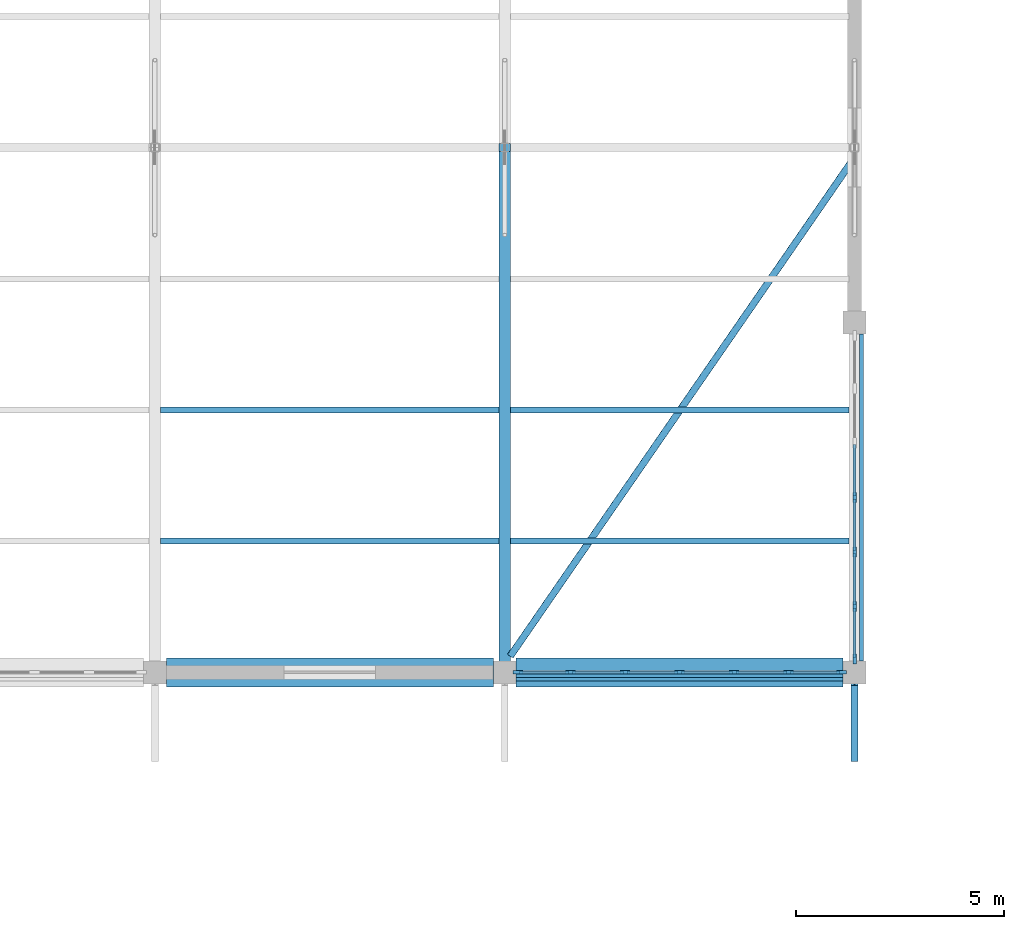
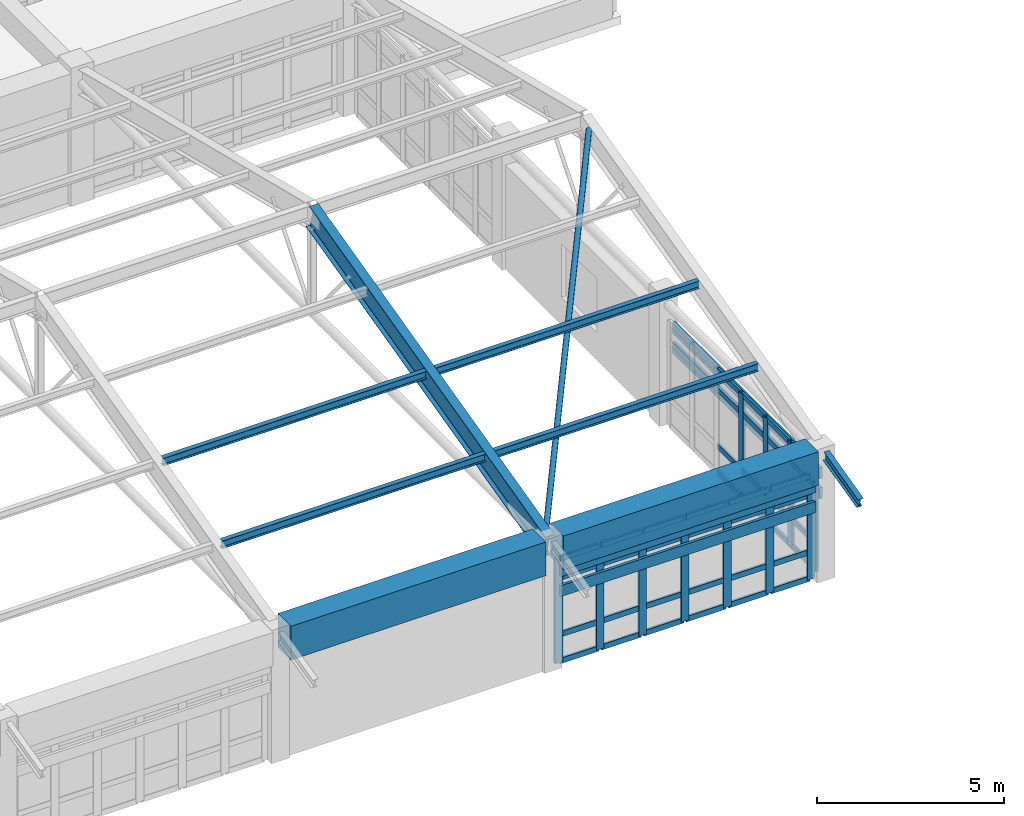
# One storey, part 13 of 99: 60 members, 4 beams, 2 elements without a shape of their own.
"""IFC4 building model written with IfcOpenShell, lengths in metres."""

import ifcopenshell
import ifcopenshell.guid

model = None  # the IFC model being written
_history = None  # IfcOwnerHistory: only IFC2X3 demands one
_inside = {}  # id of a spatial element -> (the spatial element, [elements in it])
_under = {}  # id of a project, library or spatial element -> (it, [spatial elements below it])
_declared = {}  # id of a project -> (the project, [libraries it declares])
_typed = {}  # id of a type object -> (the type object, [elements of that type])
_made_of = {}  # id of a material, layer set ... -> (it, [elements and type objects made of it])


def new_model(schema):
    """Start an empty IFC model of exactly this schema.

    Asked for "IFC4X3", IfcOpenShell would pick the latest addendum, in which some entities
    have other attributes; the version numbers below select the first issue.
    IFC2X3 requires an IfcOwnerHistory on every rooted entity: one is made here for all.
    """
    global model, _history
    if schema == "IFC4X3":
        model = ifcopenshell.file(schema_version=(4, 3, 0, 0))
    else:
        model = ifcopenshell.file(schema=schema)
    _inside.clear()
    _under.clear()
    _declared.clear()
    _typed.clear()
    _made_of.clear()
    _history = None
    if model.schema == "IFC2X3":
        org = make("IfcOrganization", Name="unknown")
        user = make(
            "IfcPersonAndOrganization",
            ThePerson=make("IfcPerson", FamilyName="unknown"),
            TheOrganization=org,
        )
        app = make(
            "IfcApplication",
            ApplicationDeveloper=org,
            Version="unknown",
            ApplicationFullName="unknown",
            ApplicationIdentifier="unknown",
        )
        _history = make(
            "IfcOwnerHistory",
            OwningUser=user,
            OwningApplication=app,
            ChangeAction="ADDED",
            CreationDate=0,
        )
    return model


def make(cls, **values):
    """One entity of the class cls with the attributes given. An attribute that is None is left unset."""
    return model.create_entity(
        cls, **{name: value for name, value in values.items() if value is not None}
    )


def rooted(cls, **values):
    """An entity with a GlobalId (a new one), such as an element, a storey or a relation."""
    return make(cls, GlobalId=ifcopenshell.guid.new(), OwnerHistory=_history, **values)


def si_unit(unit_type, name, prefix=None):
    """IfcSIUnit, for example si_unit("LENGTHUNIT", "METRE", prefix="MILLI")."""
    return make("IfcSIUnit", UnitType=unit_type, Prefix=prefix, Name=name)


def assignment(units):
    """IfcUnitAssignment: the units of a project."""
    return None if units is None else make("IfcUnitAssignment", Units=units)


def point(xyz):
    """IfcCartesianPoint."""
    return None if xyz is None else make("IfcCartesianPoint", Coordinates=xyz)


def direction(xyz):
    """IfcDirection."""
    return None if xyz is None else make("IfcDirection", DirectionRatios=xyz)


def frame(location, z_axis=None, x_axis=None):
    """IfcAxis2Placement3D, a coordinate frame: its origin and axes. An axis left out is left unset."""
    return make(
        "IfcAxis2Placement3D",
        Location=point(location),
        Axis=direction(z_axis),
        RefDirection=direction(x_axis),
    )


def frame_2d(location, x_axis=None):
    """IfcAxis2Placement2D, a coordinate frame in the plane: its origin and x axis."""
    return make(
        "IfcAxis2Placement2D", Location=point(location), RefDirection=direction(x_axis)
    )


def origin():
    """The frame at (0, 0, 0) with its axes left unset."""
    return frame((0.0, 0.0, 0.0))


def origin_2d():
    """The frame at (0, 0) in the plane with its x axis left unset."""
    return frame_2d((0.0, 0.0))


def place(relative_to, where):
    """IfcLocalPlacement: puts the frame where relative to a parent placement (None: the world)."""
    return make(
        "IfcLocalPlacement", PlacementRelTo=relative_to, RelativePlacement=where
    )


def context(
    kind, dimensions, precision=None, world=None, true_north=None, identifier=None
):
    """IfcGeometricRepresentationContext, for example the 3D "Model" context."""
    return make(
        "IfcGeometricRepresentationContext",
        ContextIdentifier=identifier,
        ContextType=kind,
        CoordinateSpaceDimension=dimensions,
        Precision=precision,
        WorldCoordinateSystem=world,
        TrueNorth=true_north,
    )


def subcontext(parent, identifier, kind, view, scale=None):
    """IfcGeometricRepresentationSubContext, for example "Body" below "Model"."""
    return make(
        "IfcGeometricRepresentationSubContext",
        ContextIdentifier=identifier,
        ContextType=kind,
        ParentContext=parent,
        TargetScale=scale,
        TargetView=view,
    )


def project(units=None, contexts=None):
    """IfcProject with its units and contexts."""
    return rooted(
        "IfcProject",
        Name="project",
        RepresentationContexts=contexts,
        UnitsInContext=assignment(units),
    )


def spatial(cls, under=None, at=None, **own):
    """A site, building, storey or space (cls), placed at a placement, below another one or the project."""
    s = rooted(cls, ObjectPlacement=at, **own)
    if under is not None:
        _under.setdefault(under.id(), (under, []))[1].append(s)
    return s


def profile(cls, at=None, kind="AREA", **sizes):
    """A parametric profile (cls). Its sizes go by their IFC names, for example OverallWidth=200.0."""
    return make(cls, ProfileType=kind, Position=at, **sizes)


def rectangle(**sizes):
    """IfcRectangleProfileDef."""
    return profile("IfcRectangleProfileDef", **sizes)


def hollow_circle(**sizes):
    """IfcCircleHollowProfileDef."""
    return profile("IfcCircleHollowProfileDef", **sizes)


def i_section(**sizes):
    """IfcIShapeProfileDef."""
    return profile("IfcIShapeProfileDef", **sizes)


def extrude(swept, where, along, depth):
    """IfcExtrudedAreaSolid: the profile swept, set in the frame where, extruded along a direction by depth."""
    return make(
        "IfcExtrudedAreaSolid",
        SweptArea=swept,
        Position=where,
        ExtrudedDirection=direction(along),
        Depth=depth,
    )


def shape(context_of_items, identifier, shape_type, items):
    """IfcShapeRepresentation: the items that make up one representation, for example the "Body"."""
    return make(
        "IfcShapeRepresentation",
        ContextOfItems=context_of_items,
        RepresentationIdentifier=identifier,
        RepresentationType=shape_type,
        Items=items,
    )


def material(Name=None, Category=None):
    """IfcMaterial."""
    return make("IfcMaterial", Name=Name, Category=Category)


def layer(
    of_material, thickness, ventilated=None, Name=None, Category=None, Priority=None
):
    """IfcMaterialLayer: one layer of a wall or slab, of a material (None: an air gap)."""
    return make(
        "IfcMaterialLayer",
        Material=of_material,
        LayerThickness=thickness,
        IsVentilated=ventilated,
        Name=Name,
        Category=Category,
        Priority=Priority,
    )


def layer_set(layers, Name=None):
    """IfcMaterialLayerSet."""
    return make("IfcMaterialLayerSet", MaterialLayers=layers, LayerSetName=Name)


def material_profile(
    of_material, cross_section, Name=None, Category=None, Priority=None
):
    """IfcMaterialProfile: a cross section and its material."""
    return make(
        "IfcMaterialProfile",
        Name=Name,
        Material=of_material,
        Profile=cross_section,
        Priority=Priority,
        Category=Category,
    )


def profile_set(profiles, Name=None, composite=None):
    """IfcMaterialProfileSet."""
    return make(
        "IfcMaterialProfileSet",
        Name=Name,
        MaterialProfiles=profiles,
        CompositeProfile=composite,
    )


def made_of(thing, what):
    """Note that an element or type object is made of a material, layer set ...; save() writes the relation."""
    if what is not None:
        _made_of.setdefault(what.id(), (what, []))[1].append(thing)
    return thing


def type_object(cls, material=None, **own):
    """A type object (cls), such as IfcWallType, which elements share."""
    return made_of(rooted(cls, **own), material)


def element(
    cls,
    number,
    at=None,
    inside=None,
    cuts=None,
    type_object=None,
    material=None,
    context=None,
    identifier="Body",
    shape_type=None,
    held_by="IfcProductDefinitionShape",
    body=None,
    shapes=None,
    **own,
):
    """One element of the class cls, such as IfcWall. Its Tag is "e" and its number.

    at: its placement. inside: the storey or other place that contains it. cuts: it is an
    opening in that element (IfcRelVoidsElement). A single representation is given by context,
    identifier, shape_type and body (its items); several are given by shapes. held_by: the class
    of the entity that holds the representations. save() writes the other relations.
    """
    e = rooted(cls, Tag="e%d" % number, ObjectPlacement=at, **own)
    if body is not None:
        shapes = [shape(context, identifier, shape_type, body)]
    if shapes is not None:
        e.Representation = make(held_by, Representations=shapes)
    if inside is not None:
        _inside.setdefault(inside.id(), (inside, []))[1].append(e)
    if cuts is not None:
        rooted(
            "IfcRelVoidsElement", RelatingBuildingElement=cuts, RelatedOpeningElement=e
        )
    if type_object is not None:
        _typed.setdefault(type_object.id(), (type_object, []))[1].append(e)
    return made_of(e, material)


def aggregate(whole, parts):
    """IfcRelAggregates: a whole, such as a stair, and the parts it consists of."""
    return rooted("IfcRelAggregates", RelatingObject=whole, RelatedObjects=parts)


def save(model, path):
    """Write the relations noted so far, then the file.

    IfcRelAggregates (storeys below a building ...), IfcRelContainedInSpatialStructure (elements
    in a storey), IfcRelDefinesByType, IfcRelAssociatesMaterial and IfcRelDeclares: one each for
    every whole, place, type object, material and project.
    """
    for whole, parts in _under.values():
        aggregate(whole, parts)
    for where, things in _inside.values():
        rooted(
            "IfcRelContainedInSpatialStructure",
            RelatedElements=things,
            RelatingStructure=where,
        )
    for kind, things in _typed.values():
        rooted("IfcRelDefinesByType", RelatedObjects=things, RelatingType=kind)
    for what, things in _made_of.values():
        rooted("IfcRelAssociatesMaterial", RelatedObjects=things, RelatingMaterial=what)
    for by, libraries in _declared.values():
        rooted("IfcRelDeclares", RelatingContext=by, RelatedDefinitions=libraries)
    model.write(path)


model = new_model("IFC4")

# Units and contexts
model_context = context("Model", 3, precision=1e-05, world=origin(), true_north=direction((0.0, 1.0)))
body_context = subcontext(model_context, "Body", "Model", "MODEL_VIEW")
ifc_project = project(units=[si_unit("LENGTHUNIT", "METRE"), si_unit("AREAUNIT", "SQUARE_METRE"), si_unit("VOLUMEUNIT", "CUBIC_METRE"), si_unit("PLANEANGLEUNIT", "RADIAN"), si_unit("MASSUNIT", "GRAM", prefix="KILO")], contexts=[model_context])

# Site, building, storey
site_placement = place(None, origin())
site = spatial("IfcSite", under=ifc_project, at=site_placement, CompositionType="ELEMENT")
building_placement = place(site_placement, origin())
building = spatial("IfcBuilding", under=site, at=building_placement, Name="Porcellanite Civic Hall", CompositionType="ELEMENT")
storey_placement = place(building_placement, frame((0.0, 0.0, 5.760009765625)))
storey = spatial("IfcBuildingStorey", under=building, at=storey_placement, Name="L01", CompositionType="ELEMENT", Elevation=5.760009765625)

# Beam
ifc_material_1 = material(Name="Steel Grade 350", Category="steel")
ifc_material_profile_1 = material_profile(ifc_material_1, i_section(OverallWidth=0.166015625, OverallDepth=0.306884765625, WebThickness=0.006591796875, FlangeThickness=0.01171875, FilletRadius=0.011474609375, at=origin_2d()), Name="310UB46.2")
ifc_profile_set_1 = profile_set([ifc_material_profile_1], Name="Steel Grade 350")
beam_type_1 = type_object("IfcBeamType", Name="BM-EV1", PredefinedType="BEAM", material=ifc_profile_set_1)
beam_1_placement = place(storey_placement, frame((109.199951171875, 16.525390625, 4.0859375), z_axis=(0.0, -0.970302594384, -0.241894347456), x_axis=(1.0, 0.0, 0.0)))
element("IfcBeam", 1, at=beam_1_placement, inside=storey, type_object=beam_type_1, Name="Public Hall storm eave beam 13", PredefinedType="BEAM", context=body_context, shape_type="SweptSolid", body=[
    extrude(i_section(OverallWidth=0.166015625, OverallDepth=0.306884765625, WebThickness=0.006591796875, FlangeThickness=0.01171875, FilletRadius=0.011474609375, at=origin_2d()), origin(), (0.0, 0.0, 1.0), 1.88134765625),
])

# Member
ifc_material_2 = material(Name="Steel C350L0", Category="steel")
ifc_material_profile_2 = material_profile(ifc_material_2, hollow_circle(Radius=0.084228515625, WallThickness=0.007080078125, at=origin_2d()), Name="168.3x7.1CHS")
ifc_profile_set_2 = profile_set([ifc_material_profile_2], Name="Steel C350L0")
member_type_1 = type_object("IfcMemberType", Name="BRC-168CHS", PredefinedType="BRACE", material=ifc_profile_set_2)
member_1_placement = place(storey_placement, frame((100.93994140625, 17.199951171875, 3.894775390625), z_axis=(0.555153561356, 0.80441389484, 0.211477679915), x_axis=(-0.823028472014, 0.568000118182, 0.0)))
element("IfcMember", 2, at=member_1_placement, inside=storey, type_object=member_type_1, Name="Public Hall wind brace S 12", PredefinedType="BRACE", context=body_context, shape_type="SweptSolid", body=[
    extrude(hollow_circle(Radius=0.084228515625, WallThickness=0.007080078125, at=origin_2d()), origin(), (0.0, 0.0, 1.0), 14.85546875),
])

# Curtain wall, members
ifc_material_3 = material(Name="Anodised aluminium and solar laminated glass", Category="aluminium")
ifc_layer = layer(ifc_material_3, 0.179931640625)
ifc_layer_set = layer_set([ifc_layer], Name="Anodised aluminium and solar laminated glass")
curtain_wall_type = type_object("IfcCurtainWallType", Name="CW-SYS01", PredefinedType="NOTDEFINED", material=ifc_layer_set)
curtain_wall_1_placement = place(storey_placement, origin())
curtain_wall_1 = element("IfcCurtainWall", 3, at=curtain_wall_1_placement, inside=storey, type_object=curtain_wall_type, Name="Curtain wall CW-098", PredefinedType="NOTDEFINED")
ifc_material_4 = material(Name="Anodised aluminium 6063-T6", Category="aluminium")
ifc_material_profile_3 = material_profile(ifc_material_4, rectangle(XDim=0.080078125, YDim=0.239990234375, at=origin_2d()), Name="AL-80x240")
ifc_profile_set_3 = profile_set([ifc_material_profile_3], Name="Anodised aluminium 6063-T6")
member_type_2 = type_object("IfcMemberType", Name="CWM-01", PredefinedType="MULLION", material=ifc_profile_set_3)
member_2_placement = place(storey_placement, frame((108.884033203125, 16.800048828125, 0.0), z_axis=(0.0, 0.0, 1.0), x_axis=(0.0, -1.0, 0.0)))
member_2 = element("IfcMember", 4, at=member_2_placement, type_object=member_type_2, Name="CW-098 mullion 1", PredefinedType="MULLION", context=body_context, shape_type="SweptSolid", body=[
    extrude(rectangle(XDim=0.080078125, YDim=0.239990234375, at=origin_2d()), origin(), (0.0, 0.0, 1.0), 3.39990234375),
])
member_3_placement = place(storey_placement, frame((107.615966796875, 16.800048828125, 0.0), z_axis=(0.0, 0.0, 1.0), x_axis=(0.0, -1.0, 0.0)))
member_3 = element("IfcMember", 5, at=member_3_placement, type_object=member_type_2, Name="CW-098 mullion 2", PredefinedType="MULLION", context=body_context, shape_type="SweptSolid", body=[
    extrude(rectangle(XDim=0.080078125, YDim=0.239990234375, at=origin_2d()), origin(), (0.0, 0.0, 1.0), 3.39990234375),
])
member_4_placement = place(storey_placement, frame((106.30810546875, 16.800048828125, 0.0), z_axis=(0.0, 0.0, 1.0), x_axis=(0.0, -1.0, 0.0)))
member_4 = element("IfcMember", 6, at=member_4_placement, type_object=member_type_2, Name="CW-098 mullion 3", PredefinedType="MULLION", context=body_context, shape_type="SweptSolid", body=[
    extrude(rectangle(XDim=0.080078125, YDim=0.239990234375, at=origin_2d()), origin(), (0.0, 0.0, 1.0), 3.39990234375),
])
member_5_placement = place(storey_placement, frame((105.0, 16.800048828125, 0.0), z_axis=(0.0, 0.0, 1.0), x_axis=(0.0, -1.0, 0.0)))
member_5 = element("IfcMember", 7, at=member_5_placement, type_object=member_type_2, Name="CW-098 mullion 4", PredefinedType="MULLION", context=body_context, shape_type="SweptSolid", body=[
    extrude(rectangle(XDim=0.080078125, YDim=0.239990234375, at=origin_2d()), origin(), (0.0, 0.0, 1.0), 3.39990234375),
])
member_6_placement = place(storey_placement, frame((103.69189453125, 16.800048828125, 0.0), z_axis=(0.0, 0.0, 1.0), x_axis=(0.0, -1.0, 0.0)))
member_6 = element("IfcMember", 8, at=member_6_placement, type_object=member_type_2, Name="CW-098 mullion 5", PredefinedType="MULLION", context=body_context, shape_type="SweptSolid", body=[
    extrude(rectangle(XDim=0.080078125, YDim=0.239990234375, at=origin_2d()), origin(), (0.0, 0.0, 1.0), 3.39990234375),
])
member_7_placement = place(storey_placement, frame((102.384033203125, 16.800048828125, 0.0), z_axis=(0.0, 0.0, 1.0), x_axis=(0.0, -1.0, 0.0)))
member_7 = element("IfcMember", 9, at=member_7_placement, type_object=member_type_2, Name="CW-098 mullion 6", PredefinedType="MULLION", context=body_context, shape_type="SweptSolid", body=[
    extrude(rectangle(XDim=0.080078125, YDim=0.239990234375, at=origin_2d()), origin(), (0.0, 0.0, 1.0), 3.39990234375),
])
member_8_placement = place(storey_placement, frame((101.115966796875, 16.800048828125, 0.0), z_axis=(0.0, 0.0, 1.0), x_axis=(0.0, -1.0, 0.0)))
member_8 = element("IfcMember", 10, at=member_8_placement, type_object=member_type_2, Name="CW-098 mullion 7", PredefinedType="MULLION", context=body_context, shape_type="SweptSolid", body=[
    extrude(rectangle(XDim=0.080078125, YDim=0.239990234375, at=origin_2d()), origin(), (0.0, 0.0, 1.0), 3.39990234375),
])

curtain_wall_2_placement = place(storey_placement, origin())
curtain_wall_2 = element("IfcCurtainWall", 11, at=curtain_wall_2_placement, inside=storey, type_object=curtain_wall_type, Name="Curtain wall CW-099", PredefinedType="NOTDEFINED")
member_9_placement = place(storey_placement, frame((109.199951171875, 21.0, 0.0), z_axis=(0.0, 0.0, 1.0), x_axis=(1.0, 0.0, 0.0)))
member_9 = element("IfcMember", 12, at=member_9_placement, type_object=member_type_2, Name="CW-099 mullion 4", PredefinedType="MULLION", context=body_context, shape_type="SweptSolid", body=[
    extrude(rectangle(XDim=0.080078125, YDim=0.239990234375, at=origin_2d()), origin(), (0.0, 0.0, 1.0), 3.39990234375),
])
member_10_placement = place(storey_placement, frame((109.199951171875, 19.69189453125, 0.0), z_axis=(0.0, 0.0, 1.0), x_axis=(1.0, 0.0, 0.0)))
member_10 = element("IfcMember", 13, at=member_10_placement, type_object=member_type_2, Name="CW-099 mullion 5", PredefinedType="MULLION", context=body_context, shape_type="SweptSolid", body=[
    extrude(rectangle(XDim=0.080078125, YDim=0.239990234375, at=origin_2d()), origin(), (0.0, 0.0, 1.0), 3.39990234375),
])
member_11_placement = place(storey_placement, frame((109.199951171875, 18.384033203125, 0.0), z_axis=(0.0, 0.0, 1.0), x_axis=(1.0, 0.0, 0.0)))
member_11 = element("IfcMember", 14, at=member_11_placement, type_object=member_type_2, Name="CW-099 mullion 6", PredefinedType="MULLION", context=body_context, shape_type="SweptSolid", body=[
    extrude(rectangle(XDim=0.080078125, YDim=0.239990234375, at=origin_2d()), origin(), (0.0, 0.0, 1.0), 3.39990234375),
])
member_12_placement = place(storey_placement, frame((109.199951171875, 17.115966796875, 0.0), z_axis=(0.0, 0.0, 1.0), x_axis=(1.0, 0.0, 0.0)))
member_12 = element("IfcMember", 15, at=member_12_placement, type_object=member_type_2, Name="CW-099 mullion 7", PredefinedType="MULLION", context=body_context, shape_type="SweptSolid", body=[
    extrude(rectangle(XDim=0.080078125, YDim=0.239990234375, at=origin_2d()), origin(), (0.0, 0.0, 1.0), 3.39990234375),
])

# Member
ifc_material_5 = material(Name="Anodised aluminium 6063-T6", Category="aluminium")
ifc_material_profile_4 = material_profile(ifc_material_5, rectangle(XDim=0.070068359375, YDim=0.175048828125, at=origin_2d()), Name="AL-70x175")
ifc_profile_set_4 = profile_set([ifc_material_profile_4], Name="Anodised aluminium 6063-T6")
member_type_3 = type_object("IfcMemberType", Name="CWT-01", PredefinedType="USERDEFINED", material=ifc_profile_set_4)
member_13_placement = place(storey_placement, frame((108.843994140625, 16.800048828125, 0.034912109375), z_axis=(-1.0, 0.0, 0.0), x_axis=(0.0, -1.0, 0.0)))
member_13 = element("IfcMember", 16, at=member_13_placement, type_object=member_type_3, Name="CW-098 transom 1.1", ObjectType="TRANSOM", PredefinedType="USERDEFINED", context=body_context, shape_type="SweptSolid", body=[
    extrude(rectangle(XDim=0.070068359375, YDim=0.175048828125, at=origin_2d()), origin(), (0.0, 0.0, 1.0), 1.18798828125),
])

member_14_placement = place(storey_placement, frame((108.843994140625, 16.800048828125, 0.89990234375), z_axis=(-1.0, 0.0, 0.0), x_axis=(0.0, -1.0, 0.0)))
member_14 = element("IfcMember", 17, at=member_14_placement, type_object=member_type_3, Name="CW-098 transom 1.2", ObjectType="TRANSOM", PredefinedType="USERDEFINED", context=body_context, shape_type="SweptSolid", body=[
    extrude(rectangle(XDim=0.070068359375, YDim=0.175048828125, at=origin_2d()), origin(), (0.0, 0.0, 1.0), 1.18798828125),
])

member_15_placement = place(storey_placement, frame((108.843994140625, 16.800048828125, 2.75), z_axis=(-1.0, 0.0, 0.0), x_axis=(0.0, -1.0, 0.0)))
member_15 = element("IfcMember", 18, at=member_15_placement, type_object=member_type_3, Name="CW-098 transom 1.3", ObjectType="TRANSOM", PredefinedType="USERDEFINED", context=body_context, shape_type="SweptSolid", body=[
    extrude(rectangle(XDim=0.070068359375, YDim=0.175048828125, at=origin_2d()), origin(), (0.0, 0.0, 1.0), 1.18798828125),
])

member_16_placement = place(storey_placement, frame((108.843994140625, 16.800048828125, 3.364990234375), z_axis=(-1.0, 0.0, 0.0), x_axis=(0.0, -1.0, 0.0)))
member_16 = element("IfcMember", 19, at=member_16_placement, type_object=member_type_3, Name="CW-098 transom 1.4", ObjectType="TRANSOM", PredefinedType="USERDEFINED", context=body_context, shape_type="SweptSolid", body=[
    extrude(rectangle(XDim=0.070068359375, YDim=0.175048828125, at=origin_2d()), origin(), (0.0, 0.0, 1.0), 1.18798828125),
])

member_17_placement = place(storey_placement, frame((107.575927734375, 16.800048828125, 0.034912109375), z_axis=(-1.0, 0.0, 0.0), x_axis=(0.0, -1.0, 0.0)))
member_17 = element("IfcMember", 20, at=member_17_placement, type_object=member_type_3, Name="CW-098 transom 2.1", ObjectType="TRANSOM", PredefinedType="USERDEFINED", context=body_context, shape_type="SweptSolid", body=[
    extrude(rectangle(XDim=0.070068359375, YDim=0.175048828125, at=origin_2d()), origin(), (0.0, 0.0, 1.0), 1.22802734375),
])

member_18_placement = place(storey_placement, frame((107.575927734375, 16.800048828125, 0.89990234375), z_axis=(-1.0, 0.0, 0.0), x_axis=(0.0, -1.0, 0.0)))
member_18 = element("IfcMember", 21, at=member_18_placement, type_object=member_type_3, Name="CW-098 transom 2.2", ObjectType="TRANSOM", PredefinedType="USERDEFINED", context=body_context, shape_type="SweptSolid", body=[
    extrude(rectangle(XDim=0.070068359375, YDim=0.175048828125, at=origin_2d()), origin(), (0.0, 0.0, 1.0), 1.22802734375),
])

member_19_placement = place(storey_placement, frame((107.575927734375, 16.800048828125, 2.75), z_axis=(-1.0, 0.0, 0.0), x_axis=(0.0, -1.0, 0.0)))
member_19 = element("IfcMember", 22, at=member_19_placement, type_object=member_type_3, Name="CW-098 transom 2.3", ObjectType="TRANSOM", PredefinedType="USERDEFINED", context=body_context, shape_type="SweptSolid", body=[
    extrude(rectangle(XDim=0.070068359375, YDim=0.175048828125, at=origin_2d()), origin(), (0.0, 0.0, 1.0), 1.22802734375),
])

member_20_placement = place(storey_placement, frame((107.575927734375, 16.800048828125, 3.364990234375), z_axis=(-1.0, 0.0, 0.0), x_axis=(0.0, -1.0, 0.0)))
member_20 = element("IfcMember", 23, at=member_20_placement, type_object=member_type_3, Name="CW-098 transom 2.4", ObjectType="TRANSOM", PredefinedType="USERDEFINED", context=body_context, shape_type="SweptSolid", body=[
    extrude(rectangle(XDim=0.070068359375, YDim=0.175048828125, at=origin_2d()), origin(), (0.0, 0.0, 1.0), 1.22802734375),
])

member_21_placement = place(storey_placement, frame((106.26806640625, 16.800048828125, 0.034912109375), z_axis=(-1.0, 0.0, 0.0), x_axis=(0.0, -1.0, 0.0)))
member_21 = element("IfcMember", 24, at=member_21_placement, type_object=member_type_3, Name="CW-098 transom 3.1", ObjectType="TRANSOM", PredefinedType="USERDEFINED", context=body_context, shape_type="SweptSolid", body=[
    extrude(rectangle(XDim=0.070068359375, YDim=0.175048828125, at=origin_2d()), origin(), (0.0, 0.0, 1.0), 1.22802734375),
])

member_22_placement = place(storey_placement, frame((106.26806640625, 16.800048828125, 0.89990234375), z_axis=(-1.0, 0.0, 0.0), x_axis=(0.0, -1.0, 0.0)))
member_22 = element("IfcMember", 25, at=member_22_placement, type_object=member_type_3, Name="CW-098 transom 3.2", ObjectType="TRANSOM", PredefinedType="USERDEFINED", context=body_context, shape_type="SweptSolid", body=[
    extrude(rectangle(XDim=0.070068359375, YDim=0.175048828125, at=origin_2d()), origin(), (0.0, 0.0, 1.0), 1.22802734375),
])

member_23_placement = place(storey_placement, frame((106.26806640625, 16.800048828125, 2.75), z_axis=(-1.0, 0.0, 0.0), x_axis=(0.0, -1.0, 0.0)))
member_23 = element("IfcMember", 26, at=member_23_placement, type_object=member_type_3, Name="CW-098 transom 3.3", ObjectType="TRANSOM", PredefinedType="USERDEFINED", context=body_context, shape_type="SweptSolid", body=[
    extrude(rectangle(XDim=0.070068359375, YDim=0.175048828125, at=origin_2d()), origin(), (0.0, 0.0, 1.0), 1.22802734375),
])

member_24_placement = place(storey_placement, frame((106.26806640625, 16.800048828125, 3.364990234375), z_axis=(-1.0, 0.0, 0.0), x_axis=(0.0, -1.0, 0.0)))
member_24 = element("IfcMember", 27, at=member_24_placement, type_object=member_type_3, Name="CW-098 transom 3.4", ObjectType="TRANSOM", PredefinedType="USERDEFINED", context=body_context, shape_type="SweptSolid", body=[
    extrude(rectangle(XDim=0.070068359375, YDim=0.175048828125, at=origin_2d()), origin(), (0.0, 0.0, 1.0), 1.22802734375),
])

member_25_placement = place(storey_placement, frame((104.9599609375, 16.800048828125, 0.034912109375), z_axis=(-1.0, 0.0, 0.0), x_axis=(0.0, -1.0, 0.0)))
member_25 = element("IfcMember", 28, at=member_25_placement, type_object=member_type_3, Name="CW-098 transom 4.1", ObjectType="TRANSOM", PredefinedType="USERDEFINED", context=body_context, shape_type="SweptSolid", body=[
    extrude(rectangle(XDim=0.070068359375, YDim=0.175048828125, at=origin_2d()), origin(), (0.0, 0.0, 1.0), 1.22802734375),
])

member_26_placement = place(storey_placement, frame((104.9599609375, 16.800048828125, 0.89990234375), z_axis=(-1.0, 0.0, 0.0), x_axis=(0.0, -1.0, 0.0)))
member_26 = element("IfcMember", 29, at=member_26_placement, type_object=member_type_3, Name="CW-098 transom 4.2", ObjectType="TRANSOM", PredefinedType="USERDEFINED", context=body_context, shape_type="SweptSolid", body=[
    extrude(rectangle(XDim=0.070068359375, YDim=0.175048828125, at=origin_2d()), origin(), (0.0, 0.0, 1.0), 1.22802734375),
])

member_27_placement = place(storey_placement, frame((104.9599609375, 16.800048828125, 2.75), z_axis=(-1.0, 0.0, 0.0), x_axis=(0.0, -1.0, 0.0)))
member_27 = element("IfcMember", 30, at=member_27_placement, type_object=member_type_3, Name="CW-098 transom 4.3", ObjectType="TRANSOM", PredefinedType="USERDEFINED", context=body_context, shape_type="SweptSolid", body=[
    extrude(rectangle(XDim=0.070068359375, YDim=0.175048828125, at=origin_2d()), origin(), (0.0, 0.0, 1.0), 1.22802734375),
])

member_28_placement = place(storey_placement, frame((104.9599609375, 16.800048828125, 3.364990234375), z_axis=(-1.0, 0.0, 0.0), x_axis=(0.0, -1.0, 0.0)))
member_28 = element("IfcMember", 31, at=member_28_placement, type_object=member_type_3, Name="CW-098 transom 4.4", ObjectType="TRANSOM", PredefinedType="USERDEFINED", context=body_context, shape_type="SweptSolid", body=[
    extrude(rectangle(XDim=0.070068359375, YDim=0.175048828125, at=origin_2d()), origin(), (0.0, 0.0, 1.0), 1.22802734375),
])

member_29_placement = place(storey_placement, frame((103.652099609375, 16.800048828125, 0.034912109375), z_axis=(-1.0, 0.0, 0.0), x_axis=(0.0, -1.0, 0.0)))
member_29 = element("IfcMember", 32, at=member_29_placement, type_object=member_type_3, Name="CW-098 transom 5.1", ObjectType="TRANSOM", PredefinedType="USERDEFINED", context=body_context, shape_type="SweptSolid", body=[
    extrude(rectangle(XDim=0.070068359375, YDim=0.175048828125, at=origin_2d()), origin(), (0.0, 0.0, 1.0), 1.22802734375),
])

member_30_placement = place(storey_placement, frame((103.652099609375, 16.800048828125, 0.89990234375), z_axis=(-1.0, 0.0, 0.0), x_axis=(0.0, -1.0, 0.0)))
member_30 = element("IfcMember", 33, at=member_30_placement, type_object=member_type_3, Name="CW-098 transom 5.2", ObjectType="TRANSOM", PredefinedType="USERDEFINED", context=body_context, shape_type="SweptSolid", body=[
    extrude(rectangle(XDim=0.070068359375, YDim=0.175048828125, at=origin_2d()), origin(), (0.0, 0.0, 1.0), 1.22802734375),
])

member_31_placement = place(storey_placement, frame((103.652099609375, 16.800048828125, 2.75), z_axis=(-1.0, 0.0, 0.0), x_axis=(0.0, -1.0, 0.0)))
member_31 = element("IfcMember", 34, at=member_31_placement, type_object=member_type_3, Name="CW-098 transom 5.3", ObjectType="TRANSOM", PredefinedType="USERDEFINED", context=body_context, shape_type="SweptSolid", body=[
    extrude(rectangle(XDim=0.070068359375, YDim=0.175048828125, at=origin_2d()), origin(), (0.0, 0.0, 1.0), 1.22802734375),
])

member_32_placement = place(storey_placement, frame((103.652099609375, 16.800048828125, 3.364990234375), z_axis=(-1.0, 0.0, 0.0), x_axis=(0.0, -1.0, 0.0)))
member_32 = element("IfcMember", 35, at=member_32_placement, type_object=member_type_3, Name="CW-098 transom 5.4", ObjectType="TRANSOM", PredefinedType="USERDEFINED", context=body_context, shape_type="SweptSolid", body=[
    extrude(rectangle(XDim=0.070068359375, YDim=0.175048828125, at=origin_2d()), origin(), (0.0, 0.0, 1.0), 1.22802734375),
])

member_33_placement = place(storey_placement, frame((102.343994140625, 16.800048828125, 0.034912109375), z_axis=(-1.0, 0.0, 0.0), x_axis=(0.0, -1.0, 0.0)))
member_33 = element("IfcMember", 36, at=member_33_placement, type_object=member_type_3, Name="CW-098 transom 6.1", ObjectType="TRANSOM", PredefinedType="USERDEFINED", context=body_context, shape_type="SweptSolid", body=[
    extrude(rectangle(XDim=0.070068359375, YDim=0.175048828125, at=origin_2d()), origin(), (0.0, 0.0, 1.0), 1.18798828125),
])

member_34_placement = place(storey_placement, frame((102.343994140625, 16.800048828125, 0.89990234375), z_axis=(-1.0, 0.0, 0.0), x_axis=(0.0, -1.0, 0.0)))
member_34 = element("IfcMember", 37, at=member_34_placement, type_object=member_type_3, Name="CW-098 transom 6.2", ObjectType="TRANSOM", PredefinedType="USERDEFINED", context=body_context, shape_type="SweptSolid", body=[
    extrude(rectangle(XDim=0.070068359375, YDim=0.175048828125, at=origin_2d()), origin(), (0.0, 0.0, 1.0), 1.18798828125),
])

member_35_placement = place(storey_placement, frame((102.343994140625, 16.800048828125, 2.75), z_axis=(-1.0, 0.0, 0.0), x_axis=(0.0, -1.0, 0.0)))
member_35 = element("IfcMember", 38, at=member_35_placement, type_object=member_type_3, Name="CW-098 transom 6.3", ObjectType="TRANSOM", PredefinedType="USERDEFINED", context=body_context, shape_type="SweptSolid", body=[
    extrude(rectangle(XDim=0.070068359375, YDim=0.175048828125, at=origin_2d()), origin(), (0.0, 0.0, 1.0), 1.18798828125),
])

member_36_placement = place(storey_placement, frame((102.343994140625, 16.800048828125, 3.364990234375), z_axis=(-1.0, 0.0, 0.0), x_axis=(0.0, -1.0, 0.0)))
member_36 = element("IfcMember", 39, at=member_36_placement, type_object=member_type_3, Name="CW-098 transom 6.4", ObjectType="TRANSOM", PredefinedType="USERDEFINED", context=body_context, shape_type="SweptSolid", body=[
    extrude(rectangle(XDim=0.070068359375, YDim=0.175048828125, at=origin_2d()), origin(), (0.0, 0.0, 1.0), 1.18798828125),
])

aggregate(curtain_wall_1, [member_2, member_3, member_4, member_5, member_6, member_7, member_8, member_13, member_14, member_15, member_16, member_17, member_18, member_19, member_20, member_21, member_22, member_23, member_24, member_25, member_26, member_27, member_28, member_29, member_30, member_31, member_32, member_33, member_34, member_35, member_36])

member_37_placement = place(storey_placement, frame((109.199951171875, 22.26806640625, 0.034912109375), z_axis=(0.0, -1.0, 0.0), x_axis=(1.0, 0.0, 0.0)))
member_37 = element("IfcMember", 40, at=member_37_placement, type_object=member_type_3, Name="CW-099 transom 3.1", ObjectType="TRANSOM", PredefinedType="USERDEFINED", context=body_context, shape_type="SweptSolid", body=[
    extrude(rectangle(XDim=0.070068359375, YDim=0.175048828125, at=origin_2d()), origin(), (0.0, 0.0, 1.0), 1.22802734375),
])

member_38_placement = place(storey_placement, frame((109.199951171875, 22.26806640625, 0.89990234375), z_axis=(0.0, -1.0, 0.0), x_axis=(1.0, 0.0, 0.0)))
member_38 = element("IfcMember", 41, at=member_38_placement, type_object=member_type_3, Name="CW-099 transom 3.2", ObjectType="TRANSOM", PredefinedType="USERDEFINED", context=body_context, shape_type="SweptSolid", body=[
    extrude(rectangle(XDim=0.070068359375, YDim=0.175048828125, at=origin_2d()), origin(), (0.0, 0.0, 1.0), 1.22802734375),
])

member_39_placement = place(storey_placement, frame((109.199951171875, 22.26806640625, 2.75), z_axis=(0.0, -1.0, 0.0), x_axis=(1.0, 0.0, 0.0)))
member_39 = element("IfcMember", 42, at=member_39_placement, type_object=member_type_3, Name="CW-099 transom 3.3", ObjectType="TRANSOM", PredefinedType="USERDEFINED", context=body_context, shape_type="SweptSolid", body=[
    extrude(rectangle(XDim=0.070068359375, YDim=0.175048828125, at=origin_2d()), origin(), (0.0, 0.0, 1.0), 1.22802734375),
])

member_40_placement = place(storey_placement, frame((109.199951171875, 22.26806640625, 3.364990234375), z_axis=(0.0, -1.0, 0.0), x_axis=(1.0, 0.0, 0.0)))
member_40 = element("IfcMember", 43, at=member_40_placement, type_object=member_type_3, Name="CW-099 transom 3.4", ObjectType="TRANSOM", PredefinedType="USERDEFINED", context=body_context, shape_type="SweptSolid", body=[
    extrude(rectangle(XDim=0.070068359375, YDim=0.175048828125, at=origin_2d()), origin(), (0.0, 0.0, 1.0), 1.22802734375),
])

member_41_placement = place(storey_placement, frame((109.199951171875, 20.9599609375, 0.034912109375), z_axis=(0.0, -1.0, 0.0), x_axis=(1.0, 0.0, 0.0)))
member_41 = element("IfcMember", 44, at=member_41_placement, type_object=member_type_3, Name="CW-099 transom 4.1", ObjectType="TRANSOM", PredefinedType="USERDEFINED", context=body_context, shape_type="SweptSolid", body=[
    extrude(rectangle(XDim=0.070068359375, YDim=0.175048828125, at=origin_2d()), origin(), (0.0, 0.0, 1.0), 1.22802734375),
])

member_42_placement = place(storey_placement, frame((109.199951171875, 20.9599609375, 0.89990234375), z_axis=(0.0, -1.0, 0.0), x_axis=(1.0, 0.0, 0.0)))
member_42 = element("IfcMember", 45, at=member_42_placement, type_object=member_type_3, Name="CW-099 transom 4.2", ObjectType="TRANSOM", PredefinedType="USERDEFINED", context=body_context, shape_type="SweptSolid", body=[
    extrude(rectangle(XDim=0.070068359375, YDim=0.175048828125, at=origin_2d()), origin(), (0.0, 0.0, 1.0), 1.22802734375),
])

member_43_placement = place(storey_placement, frame((109.199951171875, 20.9599609375, 2.75), z_axis=(0.0, -1.0, 0.0), x_axis=(1.0, 0.0, 0.0)))
member_43 = element("IfcMember", 46, at=member_43_placement, type_object=member_type_3, Name="CW-099 transom 4.3", ObjectType="TRANSOM", PredefinedType="USERDEFINED", context=body_context, shape_type="SweptSolid", body=[
    extrude(rectangle(XDim=0.070068359375, YDim=0.175048828125, at=origin_2d()), origin(), (0.0, 0.0, 1.0), 1.22802734375),
])

member_44_placement = place(storey_placement, frame((109.199951171875, 20.9599609375, 3.364990234375), z_axis=(0.0, -1.0, 0.0), x_axis=(1.0, 0.0, 0.0)))
member_44 = element("IfcMember", 47, at=member_44_placement, type_object=member_type_3, Name="CW-099 transom 4.4", ObjectType="TRANSOM", PredefinedType="USERDEFINED", context=body_context, shape_type="SweptSolid", body=[
    extrude(rectangle(XDim=0.070068359375, YDim=0.175048828125, at=origin_2d()), origin(), (0.0, 0.0, 1.0), 1.22802734375),
])

member_45_placement = place(storey_placement, frame((109.199951171875, 19.652099609375, 0.034912109375), z_axis=(0.0, -1.0, 0.0), x_axis=(1.0, 0.0, 0.0)))
member_45 = element("IfcMember", 48, at=member_45_placement, type_object=member_type_3, Name="CW-099 transom 5.1", ObjectType="TRANSOM", PredefinedType="USERDEFINED", context=body_context, shape_type="SweptSolid", body=[
    extrude(rectangle(XDim=0.070068359375, YDim=0.175048828125, at=origin_2d()), origin(), (0.0, 0.0, 1.0), 1.22802734375),
])

member_46_placement = place(storey_placement, frame((109.199951171875, 19.652099609375, 0.89990234375), z_axis=(0.0, -1.0, 0.0), x_axis=(1.0, 0.0, 0.0)))
member_46 = element("IfcMember", 49, at=member_46_placement, type_object=member_type_3, Name="CW-099 transom 5.2", ObjectType="TRANSOM", PredefinedType="USERDEFINED", context=body_context, shape_type="SweptSolid", body=[
    extrude(rectangle(XDim=0.070068359375, YDim=0.175048828125, at=origin_2d()), origin(), (0.0, 0.0, 1.0), 1.22802734375),
])

member_47_placement = place(storey_placement, frame((109.199951171875, 19.652099609375, 2.75), z_axis=(0.0, -1.0, 0.0), x_axis=(1.0, 0.0, 0.0)))
member_47 = element("IfcMember", 50, at=member_47_placement, type_object=member_type_3, Name="CW-099 transom 5.3", ObjectType="TRANSOM", PredefinedType="USERDEFINED", context=body_context, shape_type="SweptSolid", body=[
    extrude(rectangle(XDim=0.070068359375, YDim=0.175048828125, at=origin_2d()), origin(), (0.0, 0.0, 1.0), 1.22802734375),
])

member_48_placement = place(storey_placement, frame((109.199951171875, 19.652099609375, 3.364990234375), z_axis=(0.0, -1.0, 0.0), x_axis=(1.0, 0.0, 0.0)))
member_48 = element("IfcMember", 51, at=member_48_placement, type_object=member_type_3, Name="CW-099 transom 5.4", ObjectType="TRANSOM", PredefinedType="USERDEFINED", context=body_context, shape_type="SweptSolid", body=[
    extrude(rectangle(XDim=0.070068359375, YDim=0.175048828125, at=origin_2d()), origin(), (0.0, 0.0, 1.0), 1.22802734375),
])

member_49_placement = place(storey_placement, frame((109.199951171875, 18.343994140625, 0.034912109375), z_axis=(0.0, -1.0, 0.0), x_axis=(1.0, 0.0, 0.0)))
member_49 = element("IfcMember", 52, at=member_49_placement, type_object=member_type_3, Name="CW-099 transom 6.1", ObjectType="TRANSOM", PredefinedType="USERDEFINED", context=body_context, shape_type="SweptSolid", body=[
    extrude(rectangle(XDim=0.070068359375, YDim=0.175048828125, at=origin_2d()), origin(), (0.0, 0.0, 1.0), 1.18798828125),
])

member_50_placement = place(storey_placement, frame((109.199951171875, 18.343994140625, 0.89990234375), z_axis=(0.0, -1.0, 0.0), x_axis=(1.0, 0.0, 0.0)))
member_50 = element("IfcMember", 53, at=member_50_placement, type_object=member_type_3, Name="CW-099 transom 6.2", ObjectType="TRANSOM", PredefinedType="USERDEFINED", context=body_context, shape_type="SweptSolid", body=[
    extrude(rectangle(XDim=0.070068359375, YDim=0.175048828125, at=origin_2d()), origin(), (0.0, 0.0, 1.0), 1.18798828125),
])

member_51_placement = place(storey_placement, frame((109.199951171875, 18.343994140625, 2.75), z_axis=(0.0, -1.0, 0.0), x_axis=(1.0, 0.0, 0.0)))
member_51 = element("IfcMember", 54, at=member_51_placement, type_object=member_type_3, Name="CW-099 transom 6.3", ObjectType="TRANSOM", PredefinedType="USERDEFINED", context=body_context, shape_type="SweptSolid", body=[
    extrude(rectangle(XDim=0.070068359375, YDim=0.175048828125, at=origin_2d()), origin(), (0.0, 0.0, 1.0), 1.18798828125),
])

member_52_placement = place(storey_placement, frame((109.199951171875, 18.343994140625, 3.364990234375), z_axis=(0.0, -1.0, 0.0), x_axis=(1.0, 0.0, 0.0)))
member_52 = element("IfcMember", 55, at=member_52_placement, type_object=member_type_3, Name="CW-099 transom 6.4", ObjectType="TRANSOM", PredefinedType="USERDEFINED", context=body_context, shape_type="SweptSolid", body=[
    extrude(rectangle(XDim=0.070068359375, YDim=0.175048828125, at=origin_2d()), origin(), (0.0, 0.0, 1.0), 1.18798828125),
])

aggregate(curtain_wall_2, [member_9, member_10, member_11, member_12, member_37, member_38, member_39, member_40, member_41, member_42, member_43, member_44, member_45, member_46, member_47, member_48, member_49, member_50, member_51, member_52])

# Beams
ifc_material_6 = material(Name="Concrete N50 (50 MPa)", Category="concrete")
ifc_material_profile_5 = material_profile(ifc_material_6, rectangle(XDim=0.699951171875, YDim=1.10009765625, at=origin_2d()), Name="RC-700x1100")
ifc_profile_set_5 = profile_set([ifc_material_profile_5], Name="Concrete N50 (50 MPa)")
beam_type_2 = type_object("IfcBeamType", Name="EB-CH2", PredefinedType="BEAM", material=ifc_profile_set_5)
beam_2_placement = place(storey_placement, frame((92.674560546875, 16.800048828125, 3.780029296875), z_axis=(1.0, 0.0, 0.0), x_axis=(0.0, 1.0, 0.0)))
element("IfcBeam", 56, at=beam_2_placement, inside=storey, type_object=beam_type_2, Name="Public Hall edge beam 2 11", PredefinedType="BEAM", context=body_context, shape_type="SweptSolid", body=[
    extrude(rectangle(XDim=0.699951171875, YDim=1.10009765625, at=origin_2d()), origin(), (0.0, 0.0, 1.0), 7.850830078125),
])
beam_3_placement = place(storey_placement, frame((101.074462890625, 16.800048828125, 3.780029296875), z_axis=(1.0, 0.0, 0.0), x_axis=(0.0, 1.0, 0.0)))
element("IfcBeam", 57, at=beam_3_placement, inside=storey, type_object=beam_type_2, Name="Public Hall edge beam 2 12", PredefinedType="BEAM", context=body_context, shape_type="SweptSolid", body=[
    extrude(rectangle(XDim=0.699951171875, YDim=1.10009765625, at=origin_2d()), origin(), (0.0, 0.0, 1.0), 7.85107421875),
])

# Members
ifc_material_7 = material(Name="Fluoropolymer bauxite-red aluminium 6063-T6", Category="aluminium")
ifc_material_profile_6 = material_profile(ifc_material_7, rectangle(XDim=0.090087890625, YDim=0.360107421875, at=origin_2d()), Name="AL-90x360")
ifc_profile_set_6 = profile_set([ifc_material_profile_6], Name="Fluoropolymer bauxite-red aluminium 6063-T6")
member_type_4 = type_object("IfcMemberType", Name="LV-BLD01", PredefinedType="USERDEFINED", material=ifc_profile_set_6)
for number, where, z_axis, x_axis, name in (
    (58, (108.925537109375, 16.633056640625, 3.10009765625), (-1.0, 0.0, 0.0), (0.0, -1.0, 0.0), "Cyclone sunshade louvre L01 S 12-2 1"),
    (59, (108.925537109375, 16.633056640625, 2.449951171875), (-1.0, 0.0, 0.0), (0.0, -1.0, 0.0), "Cyclone sunshade louvre L01 S 12-2 2"),
    (60, (109.366943359375, 24.925537109375, 3.10009765625), (0.0, -1.0, 0.0), (1.0, 0.0, 0.0), "Cyclone sunshade louvre L01 E 12-2 1"),
    (61, (109.366943359375, 24.925537109375, 2.449951171875), (0.0, -1.0, 0.0), (1.0, 0.0, 0.0), "Cyclone sunshade louvre L01 E 12-2 2"),
):
    element("IfcMember", number, at=place(storey_placement, frame(where, z_axis=z_axis, x_axis=x_axis)), inside=storey, type_object=member_type_4, Name=name, ObjectType="LOUVRE BLADE", PredefinedType="USERDEFINED", context=body_context, shape_type="SweptSolid", body=[
        extrude(rectangle(XDim=0.090087890625, YDim=0.360107421875, at=origin_2d()), origin(), (0.0, 0.0, 1.0), 7.85107421875),
    ])
ifc_material_8 = material(Name="Steel Grade 350", Category="steel")
ifc_material_profile_7 = material_profile(ifc_material_8, i_section(OverallWidth=0.14599609375, OverallDepth=0.251953125, WebThickness=0.006103515625, FlangeThickness=0.008544921875, FilletRadius=0.0087890625, at=origin_2d()), Name="250UB31.4")
ifc_profile_set_7 = profile_set([ifc_material_profile_7], Name="Steel Grade 350")
member_type_5 = type_object("IfcMemberType", Name="PUR-250UB31", PredefinedType="PURLIN", material=ifc_profile_set_7)
for number, where, z_axis, x_axis, name in (
    (62, (92.537109375, 19.949951171875, 4.9501953125), (1.0, 0.0, 0.0), (0.0, 1.0, 0.0), "Public Hall purlin 11 19.9"),
    (63, (92.537109375, 23.10009765625, 5.735595703125), (1.0, 0.0, 0.0), (0.0, 1.0, 0.0), "Public Hall purlin 11 23.1"),
    (64, (100.93701171875, 19.949951171875, 4.9501953125), (1.0, 0.0, 0.0), (0.0, 1.0, 0.0), "Public Hall purlin 12 19.9"),
    (65, (100.93701171875, 23.10009765625, 5.735595703125), (1.0, 0.0, 0.0), (0.0, 1.0, 0.0), "Public Hall purlin 12 23.1"),
):
    element("IfcMember", number, at=place(storey_placement, frame(where, z_axis=z_axis, x_axis=x_axis)), inside=storey, type_object=member_type_5, Name=name, PredefinedType="PURLIN", context=body_context, shape_type="SweptSolid", body=[
        extrude(i_section(OverallWidth=0.14599609375, OverallDepth=0.251953125, WebThickness=0.006103515625, FlangeThickness=0.008544921875, FilletRadius=0.0087890625, at=origin_2d()), origin(), (0.0, 0.0, 1.0), 8.1259765625),
    ])

# Beam
ifc_material_9 = material(Name="Steel Grade 350", Category="steel")
ifc_material_profile_8 = material_profile(ifc_material_9, i_section(OverallWidth=0.27490234375, OverallDepth=0.800048828125, WebThickness=0.010009765625, FlangeThickness=0.01611328125, FilletRadius=0.013916015625, at=origin_2d()), Name="800WB146")
ifc_profile_set_8 = profile_set([ifc_material_profile_8], Name="Steel Grade 350")
beam_type_3 = type_object("IfcBeamType", Name="RAF-800WB", PredefinedType="BEAM", material=ifc_profile_set_8)
beam_4_placement = place(storey_placement, frame((100.800048828125, 16.800048828125, 3.894775390625), z_axis=(0.0, 0.970293823695, 0.241929526309), x_axis=(-1.0, 0.0, 0.0)))
element("IfcBeam", 66, at=beam_4_placement, inside=storey, type_object=beam_type_3, Name="Public Hall south rafter 12", PredefinedType="BEAM", context=body_context, shape_type="SweptSolid", body=[
    extrude(i_section(OverallWidth=0.27490234375, OverallDepth=0.800048828125, WebThickness=0.010009765625, FlangeThickness=0.01611328125, FilletRadius=0.013916015625, at=origin_2d()), origin(), (0.0, 0.0, 1.0), 12.985595703125),
])

save(model, "model.ifc")
